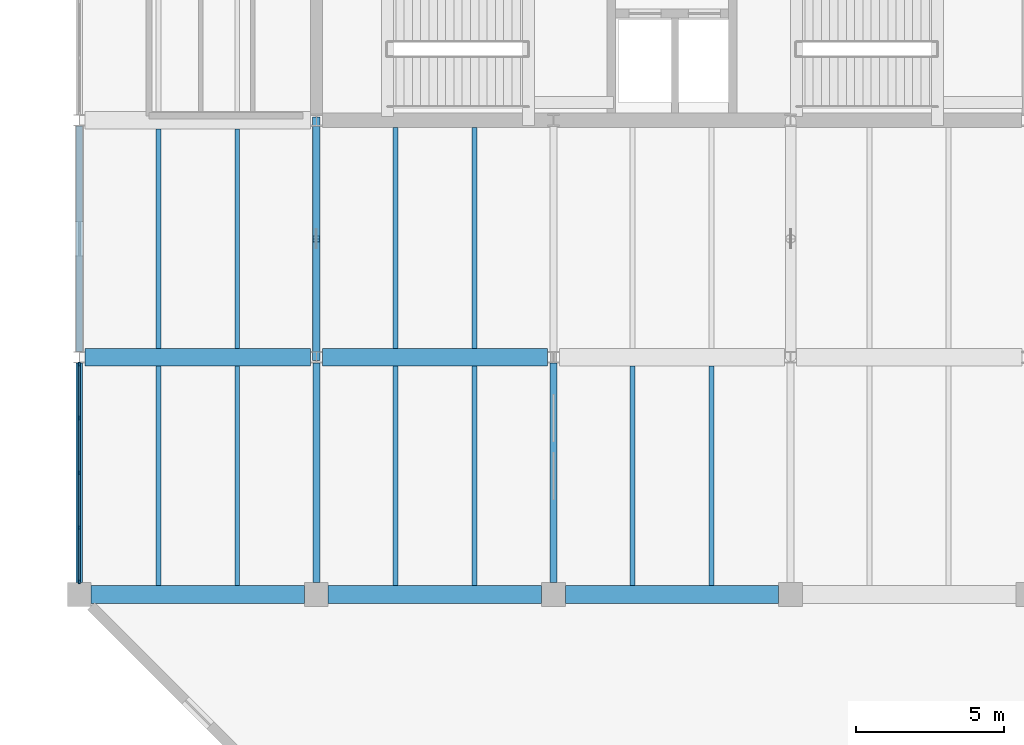
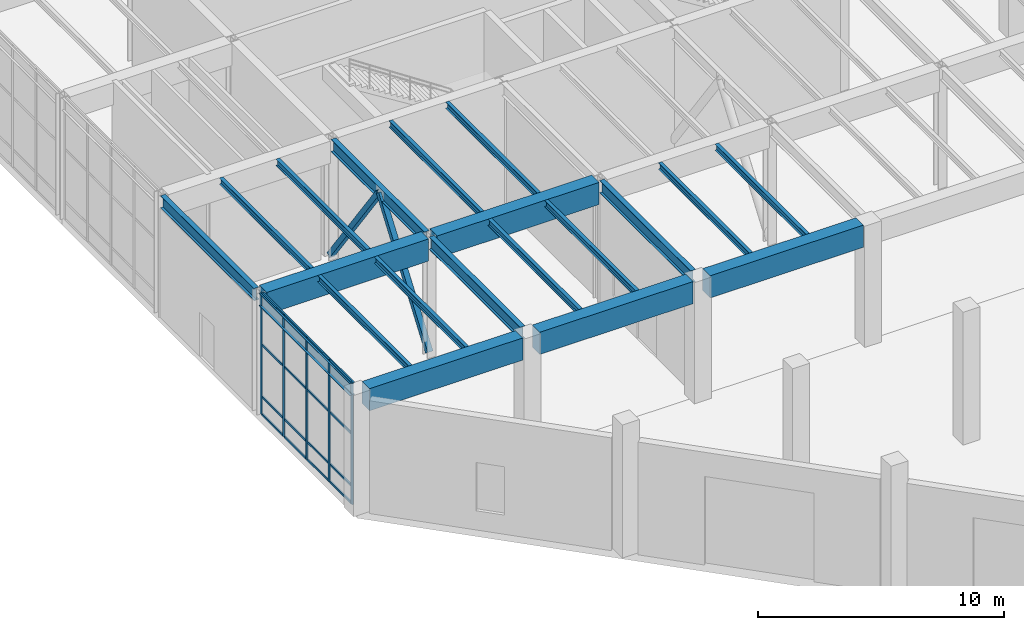
# One storey, part 8 of 51: 23 members, 20 beams, 1 element without a shape of its own.
"""IFC4 building model written with IfcOpenShell, lengths in metres."""

import ifcopenshell
import ifcopenshell.guid

model = None  # the IFC model being written
_history = None  # IfcOwnerHistory: only IFC2X3 demands one
_inside = {}  # id of a spatial element -> (the spatial element, [elements in it])
_under = {}  # id of a project, library or spatial element -> (it, [spatial elements below it])
_declared = {}  # id of a project -> (the project, [libraries it declares])
_typed = {}  # id of a type object -> (the type object, [elements of that type])
_made_of = {}  # id of a material, layer set ... -> (it, [elements and type objects made of it])


def new_model(schema):
    """Start an empty IFC model of exactly this schema.

    Asked for "IFC4X3", IfcOpenShell would pick the latest addendum, in which some entities
    have other attributes; the version numbers below select the first issue.
    IFC2X3 requires an IfcOwnerHistory on every rooted entity: one is made here for all.
    """
    global model, _history
    if schema == "IFC4X3":
        model = ifcopenshell.file(schema_version=(4, 3, 0, 0))
    else:
        model = ifcopenshell.file(schema=schema)
    _inside.clear()
    _under.clear()
    _declared.clear()
    _typed.clear()
    _made_of.clear()
    _history = None
    if model.schema == "IFC2X3":
        org = make("IfcOrganization", Name="unknown")
        user = make(
            "IfcPersonAndOrganization",
            ThePerson=make("IfcPerson", FamilyName="unknown"),
            TheOrganization=org,
        )
        app = make(
            "IfcApplication",
            ApplicationDeveloper=org,
            Version="unknown",
            ApplicationFullName="unknown",
            ApplicationIdentifier="unknown",
        )
        _history = make(
            "IfcOwnerHistory",
            OwningUser=user,
            OwningApplication=app,
            ChangeAction="ADDED",
            CreationDate=0,
        )
    return model


def make(cls, **values):
    """One entity of the class cls with the attributes given. An attribute that is None is left unset."""
    return model.create_entity(
        cls, **{name: value for name, value in values.items() if value is not None}
    )


def rooted(cls, **values):
    """An entity with a GlobalId (a new one), such as an element, a storey or a relation."""
    return make(cls, GlobalId=ifcopenshell.guid.new(), OwnerHistory=_history, **values)


def si_unit(unit_type, name, prefix=None):
    """IfcSIUnit, for example si_unit("LENGTHUNIT", "METRE", prefix="MILLI")."""
    return make("IfcSIUnit", UnitType=unit_type, Prefix=prefix, Name=name)


def assignment(units):
    """IfcUnitAssignment: the units of a project."""
    return None if units is None else make("IfcUnitAssignment", Units=units)


def point(xyz):
    """IfcCartesianPoint."""
    return None if xyz is None else make("IfcCartesianPoint", Coordinates=xyz)


def direction(xyz):
    """IfcDirection."""
    return None if xyz is None else make("IfcDirection", DirectionRatios=xyz)


def frame(location, z_axis=None, x_axis=None):
    """IfcAxis2Placement3D, a coordinate frame: its origin and axes. An axis left out is left unset."""
    return make(
        "IfcAxis2Placement3D",
        Location=point(location),
        Axis=direction(z_axis),
        RefDirection=direction(x_axis),
    )


def frame_2d(location, x_axis=None):
    """IfcAxis2Placement2D, a coordinate frame in the plane: its origin and x axis."""
    return make(
        "IfcAxis2Placement2D", Location=point(location), RefDirection=direction(x_axis)
    )


def origin():
    """The frame at (0, 0, 0) with its axes left unset."""
    return frame((0.0, 0.0, 0.0))


def origin_2d():
    """The frame at (0, 0) in the plane with its x axis left unset."""
    return frame_2d((0.0, 0.0))


def place(relative_to, where):
    """IfcLocalPlacement: puts the frame where relative to a parent placement (None: the world)."""
    return make(
        "IfcLocalPlacement", PlacementRelTo=relative_to, RelativePlacement=where
    )


def context(
    kind, dimensions, precision=None, world=None, true_north=None, identifier=None
):
    """IfcGeometricRepresentationContext, for example the 3D "Model" context."""
    return make(
        "IfcGeometricRepresentationContext",
        ContextIdentifier=identifier,
        ContextType=kind,
        CoordinateSpaceDimension=dimensions,
        Precision=precision,
        WorldCoordinateSystem=world,
        TrueNorth=true_north,
    )


def subcontext(parent, identifier, kind, view, scale=None):
    """IfcGeometricRepresentationSubContext, for example "Body" below "Model"."""
    return make(
        "IfcGeometricRepresentationSubContext",
        ContextIdentifier=identifier,
        ContextType=kind,
        ParentContext=parent,
        TargetScale=scale,
        TargetView=view,
    )


def project(units=None, contexts=None):
    """IfcProject with its units and contexts."""
    return rooted(
        "IfcProject",
        Name="project",
        RepresentationContexts=contexts,
        UnitsInContext=assignment(units),
    )


def spatial(cls, under=None, at=None, **own):
    """A site, building, storey or space (cls), placed at a placement, below another one or the project."""
    s = rooted(cls, ObjectPlacement=at, **own)
    if under is not None:
        _under.setdefault(under.id(), (under, []))[1].append(s)
    return s


def profile(cls, at=None, kind="AREA", **sizes):
    """A parametric profile (cls). Its sizes go by their IFC names, for example OverallWidth=200.0."""
    return make(cls, ProfileType=kind, Position=at, **sizes)


def rectangle(**sizes):
    """IfcRectangleProfileDef."""
    return profile("IfcRectangleProfileDef", **sizes)


def hollow_rectangle(**sizes):
    """IfcRectangleHollowProfileDef."""
    return profile("IfcRectangleHollowProfileDef", **sizes)


def i_section(**sizes):
    """IfcIShapeProfileDef."""
    return profile("IfcIShapeProfileDef", **sizes)


def extrude(swept, where, along, depth):
    """IfcExtrudedAreaSolid: the profile swept, set in the frame where, extruded along a direction by depth."""
    return make(
        "IfcExtrudedAreaSolid",
        SweptArea=swept,
        Position=where,
        ExtrudedDirection=direction(along),
        Depth=depth,
    )


def shape(context_of_items, identifier, shape_type, items):
    """IfcShapeRepresentation: the items that make up one representation, for example the "Body"."""
    return make(
        "IfcShapeRepresentation",
        ContextOfItems=context_of_items,
        RepresentationIdentifier=identifier,
        RepresentationType=shape_type,
        Items=items,
    )


def material(Name=None, Category=None):
    """IfcMaterial."""
    return make("IfcMaterial", Name=Name, Category=Category)


def layer(
    of_material, thickness, ventilated=None, Name=None, Category=None, Priority=None
):
    """IfcMaterialLayer: one layer of a wall or slab, of a material (None: an air gap)."""
    return make(
        "IfcMaterialLayer",
        Material=of_material,
        LayerThickness=thickness,
        IsVentilated=ventilated,
        Name=Name,
        Category=Category,
        Priority=Priority,
    )


def layer_set(layers, Name=None):
    """IfcMaterialLayerSet."""
    return make("IfcMaterialLayerSet", MaterialLayers=layers, LayerSetName=Name)


def material_profile(
    of_material, cross_section, Name=None, Category=None, Priority=None
):
    """IfcMaterialProfile: a cross section and its material."""
    return make(
        "IfcMaterialProfile",
        Name=Name,
        Material=of_material,
        Profile=cross_section,
        Priority=Priority,
        Category=Category,
    )


def profile_set(profiles, Name=None, composite=None):
    """IfcMaterialProfileSet."""
    return make(
        "IfcMaterialProfileSet",
        Name=Name,
        MaterialProfiles=profiles,
        CompositeProfile=composite,
    )


def made_of(thing, what):
    """Note that an element or type object is made of a material, layer set ...; save() writes the relation."""
    if what is not None:
        _made_of.setdefault(what.id(), (what, []))[1].append(thing)
    return thing


def type_object(cls, material=None, **own):
    """A type object (cls), such as IfcWallType, which elements share."""
    return made_of(rooted(cls, **own), material)


def element(
    cls,
    number,
    at=None,
    inside=None,
    cuts=None,
    type_object=None,
    material=None,
    context=None,
    identifier="Body",
    shape_type=None,
    held_by="IfcProductDefinitionShape",
    body=None,
    shapes=None,
    **own,
):
    """One element of the class cls, such as IfcWall. Its Tag is "e" and its number.

    at: its placement. inside: the storey or other place that contains it. cuts: it is an
    opening in that element (IfcRelVoidsElement). A single representation is given by context,
    identifier, shape_type and body (its items); several are given by shapes. held_by: the class
    of the entity that holds the representations. save() writes the other relations.
    """
    e = rooted(cls, Tag="e%d" % number, ObjectPlacement=at, **own)
    if body is not None:
        shapes = [shape(context, identifier, shape_type, body)]
    if shapes is not None:
        e.Representation = make(held_by, Representations=shapes)
    if inside is not None:
        _inside.setdefault(inside.id(), (inside, []))[1].append(e)
    if cuts is not None:
        rooted(
            "IfcRelVoidsElement", RelatingBuildingElement=cuts, RelatedOpeningElement=e
        )
    if type_object is not None:
        _typed.setdefault(type_object.id(), (type_object, []))[1].append(e)
    return made_of(e, material)


def aggregate(whole, parts):
    """IfcRelAggregates: a whole, such as a stair, and the parts it consists of."""
    return rooted("IfcRelAggregates", RelatingObject=whole, RelatedObjects=parts)


def save(model, path):
    """Write the relations noted so far, then the file.

    IfcRelAggregates (storeys below a building ...), IfcRelContainedInSpatialStructure (elements
    in a storey), IfcRelDefinesByType, IfcRelAssociatesMaterial and IfcRelDeclares: one each for
    every whole, place, type object, material and project.
    """
    for whole, parts in _under.values():
        aggregate(whole, parts)
    for where, things in _inside.values():
        rooted(
            "IfcRelContainedInSpatialStructure",
            RelatedElements=things,
            RelatingStructure=where,
        )
    for kind, things in _typed.values():
        rooted("IfcRelDefinesByType", RelatedObjects=things, RelatingType=kind)
    for what, things in _made_of.values():
        rooted("IfcRelAssociatesMaterial", RelatedObjects=things, RelatingMaterial=what)
    for by, libraries in _declared.values():
        rooted("IfcRelDeclares", RelatingContext=by, RelatedDefinitions=libraries)
    model.write(path)


model = new_model("IFC4")

# Units and contexts
model_context = context("Model", 3, precision=1e-05, world=origin(), true_north=direction((0.0, 1.0)))
body_context = subcontext(model_context, "Body", "Model", "MODEL_VIEW")
ifc_project = project(units=[si_unit("LENGTHUNIT", "METRE"), si_unit("AREAUNIT", "SQUARE_METRE"), si_unit("VOLUMEUNIT", "CUBIC_METRE"), si_unit("PLANEANGLEUNIT", "RADIAN"), si_unit("MASSUNIT", "GRAM", prefix="KILO")], contexts=[model_context])

# Site, building, storey
site_placement = place(None, origin())
site = spatial("IfcSite", under=ifc_project, at=site_placement, CompositionType="ELEMENT")
building_placement = place(site_placement, origin())
building = spatial("IfcBuilding", under=site, at=building_placement, Name="Varnela Railside Interchange", CompositionType="ELEMENT")
storey_placement = place(building_placement, origin())
storey = spatial("IfcBuildingStorey", under=building, at=storey_placement, Name="L00", CompositionType="ELEMENT", Elevation=0.0)

# Beams
ifc_material_1 = material(Name="Steel AR 350 (350 MPa)", Category="steel")
ifc_material_profile_1 = material_profile(ifc_material_1, i_section(OverallWidth=0.1669921875, OverallDepth=0.31689453125, WebThickness=0.007568359375, FlangeThickness=0.01318359375, at=origin_2d()), Name="W310x52")
ifc_profile_set_1 = profile_set([ifc_material_profile_1], Name="Steel AR 350 (350 MPa)")
beam_type_1 = type_object("IfcBeamType", Name="Composite Long-Span Joist J-03", PredefinedType="JOIST", material=ifc_profile_set_1)
for number, where, z_axis, x_axis, name in (
    (1, (6.669921875, 38.300048828125, 5.861572265625), (0.0, 1.0, 0.0), (-1.0, 0.0, 0.0), "Composite Long-Span Joist J-03 (L00) (BM-1026)"),
    (2, (9.330078125, 38.300048828125, 5.861572265625), (0.0, 1.0, 0.0), (-1.0, 0.0, 0.0), "Composite Long-Span Joist J-03 (L00) (BM-1027)"),
    (3, (6.669921875, 46.300048828125, 5.861572265625), (0.0, 1.0, 0.0), (-1.0, 0.0, 0.0), "Composite Long-Span Joist J-03 (L00) (BM-1028)"),
    (4, (9.330078125, 46.300048828125, 5.861572265625), (0.0, 1.0, 0.0), (-1.0, 0.0, 0.0), "Composite Long-Span Joist J-03 (L00) (BM-1029)"),
    (5, (14.669921875, 38.300048828125, 5.861572265625), (0.0, 1.0, 0.0), (-1.0, 0.0, 0.0), "Composite Long-Span Joist J-03 (L00) (BM-1114)"),
    (6, (17.330078125, 38.300048828125, 5.861572265625), (0.0, 1.0, 0.0), (-1.0, 0.0, 0.0), "Composite Long-Span Joist J-03 (L00) (BM-1115)"),
):
    element("IfcBeam", number, at=place(storey_placement, frame(where, z_axis=z_axis, x_axis=x_axis)), inside=storey, type_object=beam_type_1, Name=name, PredefinedType="JOIST", context=body_context, shape_type="SweptSolid", body=[
        extrude(i_section(OverallWidth=0.1669921875, OverallDepth=0.31689453125, WebThickness=0.007568359375, FlangeThickness=0.01318359375, at=origin_2d()), origin(), (0.0, 0.0, 1.0), 7.39990234375),
    ])
for number, where, z_axis, x_axis, name in (
    (7, (14.669921875, 46.300048828125, 5.861572265625), (0.0, 1.0, 0.0), (-1.0, 0.0, 0.0), "Composite Long-Span Joist J-03 (L00) (BM-1116)"),
    (8, (17.330078125, 46.300048828125, 5.861572265625), (0.0, 1.0, 0.0), (-1.0, 0.0, 0.0), "Composite Long-Span Joist J-03 (L00) (BM-1117)"),
):
    element("IfcBeam", number, at=place(storey_placement, frame(where, z_axis=z_axis, x_axis=x_axis)), inside=storey, type_object=beam_type_1, Name=name, PredefinedType="JOIST", context=body_context, shape_type="SweptSolid", body=[
        extrude(i_section(OverallWidth=0.1669921875, OverallDepth=0.31689453125, WebThickness=0.007568359375, FlangeThickness=0.01318359375, at=origin_2d()), origin(), (0.0, 0.0, 1.0), 7.4599609375),
    ])
for number, where, z_axis, x_axis, name in (
    (9, (22.669921875, 38.300048828125, 5.861572265625), (0.0, 1.0, 0.0), (-1.0, 0.0, 0.0), "Composite Long-Span Joist J-03 (L00) (BM-1124)"),
    (10, (25.330078125, 38.300048828125, 5.861572265625), (0.0, 1.0, 0.0), (-1.0, 0.0, 0.0), "Composite Long-Span Joist J-03 (L00) (BM-1125)"),
):
    element("IfcBeam", number, at=place(storey_placement, frame(where, z_axis=z_axis, x_axis=x_axis)), inside=storey, type_object=beam_type_1, Name=name, PredefinedType="JOIST", context=body_context, shape_type="SweptSolid", body=[
        extrude(i_section(OverallWidth=0.1669921875, OverallDepth=0.31689453125, WebThickness=0.007568359375, FlangeThickness=0.01318359375, at=origin_2d()), origin(), (0.0, 0.0, 1.0), 7.39990234375),
    ])
ifc_material_2 = material(Name="Concrete C50", Category="concrete")
ifc_material_profile_2 = material_profile(ifc_material_2, rectangle(XDim=0.60009765625, YDim=1.10009765625, at=origin_2d()), Name="RC 600x1100")
ifc_profile_set_2 = profile_set([ifc_material_profile_2], Name="Concrete C50")
beam_type_2 = type_object("IfcBeamType", Name="Concourse RC Girder B-06", PredefinedType="BEAM", material=ifc_profile_set_2)
for number, where, z_axis, x_axis, name in (
    (11, (4.39990234375, 38.0, 5.469970703125), (1.0, 0.0, 0.0), (0.0, 1.0, 0.0), "Concourse RC Girder B-06 (L00) (BM-1214)"),
    (12, (12.39990234375, 38.0, 5.469970703125), (1.0, 0.0, 0.0), (0.0, 1.0, 0.0), "Concourse RC Girder B-06 (L00) (BM-1205)"),
    (13, (20.39990234375, 38.0, 5.469970703125), (1.0, 0.0, 0.0), (0.0, 1.0, 0.0), "Concourse RC Girder B-06 (L00) (BM-1210)"),
):
    element("IfcBeam", number, at=place(storey_placement, frame(where, z_axis=z_axis, x_axis=x_axis)), inside=storey, type_object=beam_type_2, Name=name, PredefinedType="BEAM", context=body_context, shape_type="SweptSolid", body=[
        extrude(rectangle(XDim=0.60009765625, YDim=1.10009765625, at=origin_2d()), origin(), (0.0, 0.0, 1.0), 7.2001953125),
    ])
for number, where, z_axis, x_axis, name in (
    (14, (4.200439453125, 46.0, 5.469970703125), (1.0, 0.0, 0.0), (0.0, 1.0, 0.0), "Concourse RC Girder B-06 (L00) (BM-1234)"),
    (15, (12.200439453125, 46.0, 5.469970703125), (1.0, 0.0, 0.0), (0.0, 1.0, 0.0), "Concourse RC Girder B-06 (L00) (BM-1225)"),
):
    element("IfcBeam", number, at=place(storey_placement, frame(where, z_axis=z_axis, x_axis=x_axis)), inside=storey, type_object=beam_type_2, Name=name, PredefinedType="BEAM", context=body_context, shape_type="SweptSolid", body=[
        extrude(rectangle(XDim=0.60009765625, YDim=1.10009765625, at=origin_2d()), origin(), (0.0, 0.0, 1.0), 7.59912109375),
    ])

# Curtain wall, members
ifc_material_3 = material(Name="Aluminium 6063-T6", Category="aluminium")
ifc_layer = layer(ifc_material_3, 0.035888671875)
ifc_layer_set = layer_set([ifc_layer], Name="Aluminium 6063-T6")
curtain_wall_type = type_object("IfcCurtainWallType", Name="Operations Wing Facade Curtain Wall CW-03", PredefinedType="USERDEFINED", material=ifc_layer_set)
curtain_wall_placement = place(storey_placement, origin())
curtain_wall = element("IfcCurtainWall", 16, at=curtain_wall_placement, inside=storey, type_object=curtain_wall_type, Name="Curtain Wall CW-03 (L00) (CW-010)", ObjectType="CURTAIN WALL", PredefinedType="USERDEFINED")
ifc_material_profile_3 = material_profile(ifc_material_3, rectangle(XDim=0.06005859375, YDim=0.139892578125, at=origin_2d()), Name="ALU 60x140")
ifc_profile_set_3 = profile_set([ifc_material_profile_3], Name="Aluminium 6063-T6")
member_type_1 = type_object("IfcMemberType", Name="Curtain Wall Mullion ML-01", PredefinedType="MULLION", material=ifc_profile_set_3)
member_1_placement = place(storey_placement, frame((4.0, 38.429931640625, 0.0), z_axis=(0.0, 0.0, 1.0), x_axis=(-1.0, 0.0, 0.0)))
member_1 = element("IfcMember", 17, at=member_1_placement, type_object=member_type_1, Name="CW-03 mullion 1", PredefinedType="MULLION", context=body_context, shape_type="SweptSolid", body=[
    extrude(rectangle(XDim=0.06005859375, YDim=0.139892578125, at=origin_2d()), origin(), (0.0, 0.0, 1.0), 6.02001953125),
])
member_2_placement = place(storey_placement, frame((4.0, 40.250244140625, 0.0), z_axis=(0.0, 0.0, 1.0), x_axis=(-1.0, 0.0, 0.0)))
member_2 = element("IfcMember", 18, at=member_2_placement, type_object=member_type_1, Name="CW-03 mullion 2", PredefinedType="MULLION", context=body_context, shape_type="SweptSolid", body=[
    extrude(rectangle(XDim=0.06005859375, YDim=0.139892578125, at=origin_2d()), origin(), (0.0, 0.0, 1.0), 6.02001953125),
])
member_3_placement = place(storey_placement, frame((4.0, 42.100341796875, 0.0), z_axis=(0.0, 0.0, 1.0), x_axis=(-1.0, 0.0, 0.0)))
member_3 = element("IfcMember", 19, at=member_3_placement, type_object=member_type_1, Name="CW-03 mullion 3", PredefinedType="MULLION", context=body_context, shape_type="SweptSolid", body=[
    extrude(rectangle(XDim=0.06005859375, YDim=0.139892578125, at=origin_2d()), origin(), (0.0, 0.0, 1.0), 6.02001953125),
])
member_4_placement = place(storey_placement, frame((4.0, 43.950439453125, 0.0), z_axis=(0.0, 0.0, 1.0), x_axis=(-1.0, 0.0, 0.0)))
member_4 = element("IfcMember", 20, at=member_4_placement, type_object=member_type_1, Name="CW-03 mullion 4", PredefinedType="MULLION", context=body_context, shape_type="SweptSolid", body=[
    extrude(rectangle(XDim=0.06005859375, YDim=0.139892578125, at=origin_2d()), origin(), (0.0, 0.0, 1.0), 6.02001953125),
])
member_5_placement = place(storey_placement, frame((4.0, 45.7705078125, 0.0), z_axis=(0.0, 0.0, 1.0), x_axis=(-1.0, 0.0, 0.0)))
member_5 = element("IfcMember", 21, at=member_5_placement, type_object=member_type_1, Name="CW-03 mullion 5", PredefinedType="MULLION", context=body_context, shape_type="SweptSolid", body=[
    extrude(rectangle(XDim=0.06005859375, YDim=0.139892578125, at=origin_2d()), origin(), (0.0, 0.0, 1.0), 6.02001953125),
])
ifc_material_profile_4 = material_profile(ifc_material_3, rectangle(XDim=0.06005859375, YDim=0.110107421875, at=origin_2d()), Name="ALU 60x110")
ifc_profile_set_4 = profile_set([ifc_material_profile_4], Name="Aluminium 6063-T6")
member_type_2 = type_object("IfcMemberType", Name="Curtain Wall Transom TR-01", PredefinedType="USERDEFINED", material=ifc_profile_set_4)
member_6_placement = place(storey_placement, frame((4.0, 38.4599609375, 0.030029296875), z_axis=(0.0, 1.0, 0.0), x_axis=(-1.0, 0.0, 0.0)))
member_6 = element("IfcMember", 22, at=member_6_placement, type_object=member_type_2, Name="CW-03 transom 1.1", ObjectType="TRANSOM", PredefinedType="USERDEFINED", context=body_context, shape_type="SweptSolid", body=[
    extrude(rectangle(XDim=0.06005859375, YDim=0.110107421875, at=origin_2d()), origin(), (0.0, 0.0, 1.0), 1.76025390625),
])
member_7_placement = place(storey_placement, frame((4.0, 38.4599609375, 0.89990234375), z_axis=(0.0, 1.0, 0.0), x_axis=(-1.0, 0.0, 0.0)))
member_7 = element("IfcMember", 23, at=member_7_placement, type_object=member_type_2, Name="CW-03 transom 1.2", ObjectType="TRANSOM", PredefinedType="USERDEFINED", context=body_context, shape_type="SweptSolid", body=[
    extrude(rectangle(XDim=0.06005859375, YDim=0.110107421875, at=origin_2d()), origin(), (0.0, 0.0, 1.0), 1.76025390625),
])
member_8_placement = place(storey_placement, frame((4.0, 38.4599609375, 3.49169921875), z_axis=(0.0, 1.0, 0.0), x_axis=(-1.0, 0.0, 0.0)))
member_8 = element("IfcMember", 24, at=member_8_placement, type_object=member_type_2, Name="CW-03 transom 1.3", ObjectType="TRANSOM", PredefinedType="USERDEFINED", context=body_context, shape_type="SweptSolid", body=[
    extrude(rectangle(XDim=0.06005859375, YDim=0.110107421875, at=origin_2d()), origin(), (0.0, 0.0, 1.0), 1.76025390625),
])
member_9_placement = place(storey_placement, frame((4.0, 38.4599609375, 5.989990234375), z_axis=(0.0, 1.0, 0.0), x_axis=(-1.0, 0.0, 0.0)))
member_9 = element("IfcMember", 25, at=member_9_placement, type_object=member_type_2, Name="CW-03 transom 1.4", ObjectType="TRANSOM", PredefinedType="USERDEFINED", context=body_context, shape_type="SweptSolid", body=[
    extrude(rectangle(XDim=0.06005859375, YDim=0.110107421875, at=origin_2d()), origin(), (0.0, 0.0, 1.0), 1.76025390625),
])
member_10_placement = place(storey_placement, frame((4.0, 40.280029296875, 0.030029296875), z_axis=(0.0, 1.0, 0.0), x_axis=(-1.0, 0.0, 0.0)))
member_10 = element("IfcMember", 26, at=member_10_placement, type_object=member_type_2, Name="CW-03 transom 2.1", ObjectType="TRANSOM", PredefinedType="USERDEFINED", context=body_context, shape_type="SweptSolid", body=[
    extrude(rectangle(XDim=0.06005859375, YDim=0.110107421875, at=origin_2d()), origin(), (0.0, 0.0, 1.0), 1.790283203125),
])
member_11_placement = place(storey_placement, frame((4.0, 40.280029296875, 0.89990234375), z_axis=(0.0, 1.0, 0.0), x_axis=(-1.0, 0.0, 0.0)))
member_11 = element("IfcMember", 27, at=member_11_placement, type_object=member_type_2, Name="CW-03 transom 2.2", ObjectType="TRANSOM", PredefinedType="USERDEFINED", context=body_context, shape_type="SweptSolid", body=[
    extrude(rectangle(XDim=0.06005859375, YDim=0.110107421875, at=origin_2d()), origin(), (0.0, 0.0, 1.0), 1.790283203125),
])
member_12_placement = place(storey_placement, frame((4.0, 40.280029296875, 3.49169921875), z_axis=(0.0, 1.0, 0.0), x_axis=(-1.0, 0.0, 0.0)))
member_12 = element("IfcMember", 28, at=member_12_placement, type_object=member_type_2, Name="CW-03 transom 2.3", ObjectType="TRANSOM", PredefinedType="USERDEFINED", context=body_context, shape_type="SweptSolid", body=[
    extrude(rectangle(XDim=0.06005859375, YDim=0.110107421875, at=origin_2d()), origin(), (0.0, 0.0, 1.0), 1.790283203125),
])
member_13_placement = place(storey_placement, frame((4.0, 40.280029296875, 5.989990234375), z_axis=(0.0, 1.0, 0.0), x_axis=(-1.0, 0.0, 0.0)))
member_13 = element("IfcMember", 29, at=member_13_placement, type_object=member_type_2, Name="CW-03 transom 2.4", ObjectType="TRANSOM", PredefinedType="USERDEFINED", context=body_context, shape_type="SweptSolid", body=[
    extrude(rectangle(XDim=0.06005859375, YDim=0.110107421875, at=origin_2d()), origin(), (0.0, 0.0, 1.0), 1.790283203125),
])
member_14_placement = place(storey_placement, frame((4.0, 42.13037109375, 0.030029296875), z_axis=(0.0, 1.0, 0.0), x_axis=(-1.0, 0.0, 0.0)))
member_14 = element("IfcMember", 30, at=member_14_placement, type_object=member_type_2, Name="CW-03 transom 3.1", ObjectType="TRANSOM", PredefinedType="USERDEFINED", context=body_context, shape_type="SweptSolid", body=[
    extrude(rectangle(XDim=0.06005859375, YDim=0.110107421875, at=origin_2d()), origin(), (0.0, 0.0, 1.0), 1.7900390625),
])
member_15_placement = place(storey_placement, frame((4.0, 42.13037109375, 0.89990234375), z_axis=(0.0, 1.0, 0.0), x_axis=(-1.0, 0.0, 0.0)))
member_15 = element("IfcMember", 31, at=member_15_placement, type_object=member_type_2, Name="CW-03 transom 3.2", ObjectType="TRANSOM", PredefinedType="USERDEFINED", context=body_context, shape_type="SweptSolid", body=[
    extrude(rectangle(XDim=0.06005859375, YDim=0.110107421875, at=origin_2d()), origin(), (0.0, 0.0, 1.0), 1.7900390625),
])
member_16_placement = place(storey_placement, frame((4.0, 42.13037109375, 3.49169921875), z_axis=(0.0, 1.0, 0.0), x_axis=(-1.0, 0.0, 0.0)))
member_16 = element("IfcMember", 32, at=member_16_placement, type_object=member_type_2, Name="CW-03 transom 3.3", ObjectType="TRANSOM", PredefinedType="USERDEFINED", context=body_context, shape_type="SweptSolid", body=[
    extrude(rectangle(XDim=0.06005859375, YDim=0.110107421875, at=origin_2d()), origin(), (0.0, 0.0, 1.0), 1.7900390625),
])
member_17_placement = place(storey_placement, frame((4.0, 42.13037109375, 5.989990234375), z_axis=(0.0, 1.0, 0.0), x_axis=(-1.0, 0.0, 0.0)))
member_17 = element("IfcMember", 33, at=member_17_placement, type_object=member_type_2, Name="CW-03 transom 3.4", ObjectType="TRANSOM", PredefinedType="USERDEFINED", context=body_context, shape_type="SweptSolid", body=[
    extrude(rectangle(XDim=0.06005859375, YDim=0.110107421875, at=origin_2d()), origin(), (0.0, 0.0, 1.0), 1.7900390625),
])
member_18_placement = place(storey_placement, frame((4.0, 43.98046875, 0.030029296875), z_axis=(0.0, 1.0, 0.0), x_axis=(-1.0, 0.0, 0.0)))
member_18 = element("IfcMember", 34, at=member_18_placement, type_object=member_type_2, Name="CW-03 transom 4.1", ObjectType="TRANSOM", PredefinedType="USERDEFINED", context=body_context, shape_type="SweptSolid", body=[
    extrude(rectangle(XDim=0.06005859375, YDim=0.110107421875, at=origin_2d()), origin(), (0.0, 0.0, 1.0), 1.760009765625),
])
member_19_placement = place(storey_placement, frame((4.0, 43.98046875, 0.89990234375), z_axis=(0.0, 1.0, 0.0), x_axis=(-1.0, 0.0, 0.0)))
member_19 = element("IfcMember", 35, at=member_19_placement, type_object=member_type_2, Name="CW-03 transom 4.2", ObjectType="TRANSOM", PredefinedType="USERDEFINED", context=body_context, shape_type="SweptSolid", body=[
    extrude(rectangle(XDim=0.06005859375, YDim=0.110107421875, at=origin_2d()), origin(), (0.0, 0.0, 1.0), 1.760009765625),
])
member_20_placement = place(storey_placement, frame((4.0, 43.98046875, 3.49169921875), z_axis=(0.0, 1.0, 0.0), x_axis=(-1.0, 0.0, 0.0)))
member_20 = element("IfcMember", 36, at=member_20_placement, type_object=member_type_2, Name="CW-03 transom 4.3", ObjectType="TRANSOM", PredefinedType="USERDEFINED", context=body_context, shape_type="SweptSolid", body=[
    extrude(rectangle(XDim=0.06005859375, YDim=0.110107421875, at=origin_2d()), origin(), (0.0, 0.0, 1.0), 1.760009765625),
])
member_21_placement = place(storey_placement, frame((4.0, 43.98046875, 5.989990234375), z_axis=(0.0, 1.0, 0.0), x_axis=(-1.0, 0.0, 0.0)))
member_21 = element("IfcMember", 37, at=member_21_placement, type_object=member_type_2, Name="CW-03 transom 4.4", ObjectType="TRANSOM", PredefinedType="USERDEFINED", context=body_context, shape_type="SweptSolid", body=[
    extrude(rectangle(XDim=0.06005859375, YDim=0.110107421875, at=origin_2d()), origin(), (0.0, 0.0, 1.0), 1.760009765625),
])
aggregate(curtain_wall, [member_1, member_2, member_3, member_4, member_5, member_6, member_7, member_8, member_9, member_10, member_11, member_12, member_13, member_14, member_15, member_16, member_17, member_18, member_19, member_20, member_21])

# Members
ifc_material_profile_5 = material_profile(ifc_material_1, hollow_rectangle(XDim=0.25, YDim=0.25, WallThickness=0.01611328125, at=origin_2d()), Name="HSS 250x250x16")
ifc_profile_set_5 = profile_set([ifc_material_profile_5], Name="Steel AR 350 (350 MPa)")
member_type_3 = type_object("IfcMemberType", Name="Lateral Chevron Brace BR-03", PredefinedType="BRACE", material=ifc_profile_set_5)
for number, where, z_axis, x_axis, name in (
    (38, (12.0, 46.0, 0.14990234375), (0.0, 0.586773887058, 0.809750829247), (-1.0, 0.0, 0.0), "Lateral Chevron Brace BR-03 (L00) (MB-0005)"),
    (39, (12.0, 54.0, 0.14990234375), (0.0, -0.586773887058, 0.809750829247), (1.0, 0.0, 0.0), "Lateral Chevron Brace BR-03 (L00) (MB-0006)"),
):
    element("IfcMember", number, at=place(storey_placement, frame(where, z_axis=z_axis, x_axis=x_axis)), inside=storey, type_object=member_type_3, Name=name, PredefinedType="BRACE", context=body_context, shape_type="SweptSolid", body=[
        extrude(hollow_rectangle(XDim=0.25, YDim=0.25, WallThickness=0.01611328125, at=origin_2d()), origin(), (0.0, 0.0, 1.0), 6.81689453125),
    ])

# Beams
ifc_material_profile_6 = material_profile(ifc_material_1, i_section(OverallWidth=0.22900390625, OverallDepth=0.612060546875, WebThickness=0.011962890625, FlangeThickness=0.01953125, at=origin_2d()), Name="W610x125")
ifc_profile_set_6 = profile_set([ifc_material_profile_6], Name="Steel AR 350 (350 MPa)")
beam_type_3 = type_object("IfcBeamType", Name="Podium Composite Girder B-15", PredefinedType="BEAM", material=ifc_profile_set_6)
beam_1_placement = place(storey_placement, frame((4.0, 38.39990234375, 5.714111328125), z_axis=(0.0, 1.0, 0.0), x_axis=(-1.0, 0.0, 0.0)))
element("IfcBeam", 40, at=beam_1_placement, inside=storey, type_object=beam_type_3, Name="Podium Composite Girder B-15 (L00) (BM-1342)", PredefinedType="BEAM", context=body_context, shape_type="SweptSolid", body=[
    extrude(i_section(OverallWidth=0.22900390625, OverallDepth=0.612060546875, WebThickness=0.011962890625, FlangeThickness=0.01953125, at=origin_2d()), origin(), (0.0, 0.0, 1.0), 7.400634765625),
])
beam_2_placement = place(storey_placement, frame((4.0, 46.199462890625, 5.714111328125), z_axis=(0.0, 1.0, 0.0), x_axis=(-1.0, 0.0, 0.0)))
element("IfcBeam", 41, at=beam_2_placement, inside=storey, type_object=beam_type_3, Name="Podium Composite Girder B-15 (L00) (BM-1343)", PredefinedType="BEAM", context=body_context, shape_type="SweptSolid", body=[
    extrude(i_section(OverallWidth=0.22900390625, OverallDepth=0.612060546875, WebThickness=0.011962890625, FlangeThickness=0.01953125, at=origin_2d()), origin(), (0.0, 0.0, 1.0), 7.60107421875),
])
beam_3_placement = place(storey_placement, frame((12.0, 38.39990234375, 5.714111328125), z_axis=(0.0, 1.0, 0.0), x_axis=(-1.0, 0.0, 0.0)))
element("IfcBeam", 42, at=beam_3_placement, inside=storey, type_object=beam_type_3, Name="Podium Composite Girder B-15 (L00) (BM-1354)", PredefinedType="BEAM", context=body_context, shape_type="SweptSolid", body=[
    extrude(i_section(OverallWidth=0.22900390625, OverallDepth=0.612060546875, WebThickness=0.011962890625, FlangeThickness=0.01953125, at=origin_2d()), origin(), (0.0, 0.0, 1.0), 7.400634765625),
])
beam_4_placement = place(storey_placement, frame((12.0, 46.199462890625, 5.714111328125), z_axis=(0.0, 1.0, 0.0), x_axis=(-1.0, 0.0, 0.0)))
element("IfcBeam", 43, at=beam_4_placement, inside=storey, type_object=beam_type_3, Name="Podium Composite Girder B-15 (L00) (BM-1355)", PredefinedType="BEAM", context=body_context, shape_type="SweptSolid", body=[
    extrude(i_section(OverallWidth=0.22900390625, OverallDepth=0.612060546875, WebThickness=0.011962890625, FlangeThickness=0.01953125, at=origin_2d()), origin(), (0.0, 0.0, 1.0), 7.592529296875),
])
beam_5_placement = place(storey_placement, frame((20.0, 38.39990234375, 5.714111328125), z_axis=(0.0, 1.0, 0.0), x_axis=(-1.0, 0.0, 0.0)))
element("IfcBeam", 44, at=beam_5_placement, inside=storey, type_object=beam_type_3, Name="Podium Composite Girder B-15 (L00) (BM-1359)", PredefinedType="BEAM", context=body_context, shape_type="SweptSolid", body=[
    extrude(i_section(OverallWidth=0.22900390625, OverallDepth=0.612060546875, WebThickness=0.011962890625, FlangeThickness=0.01953125, at=origin_2d()), origin(), (0.0, 0.0, 1.0), 7.400634765625),
])

save(model, "model.ifc")
